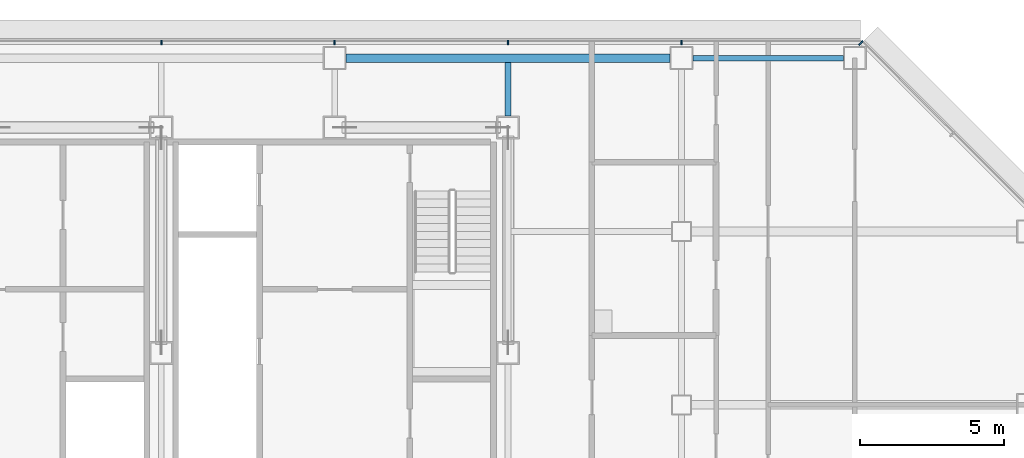
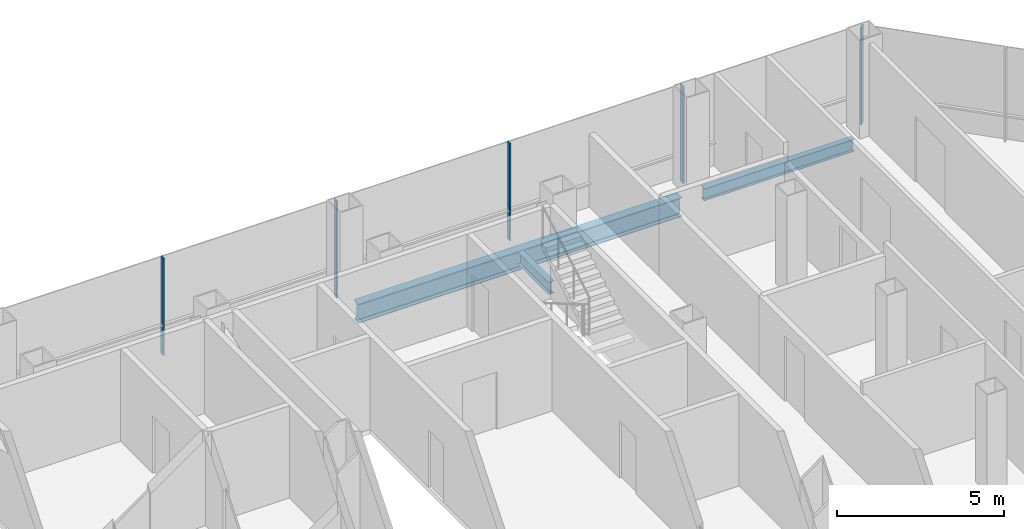
# One storey, part 14 of 26: 5 members, 3 beams, 2 elements without a shape of their own.
"""IFC4 building model written with IfcOpenShell, lengths in metres."""

import ifcopenshell
import ifcopenshell.guid

model = None  # the IFC model being written
_history = None  # IfcOwnerHistory: only IFC2X3 demands one
_inside = {}  # id of a spatial element -> (the spatial element, [elements in it])
_under = {}  # id of a project, library or spatial element -> (it, [spatial elements below it])
_declared = {}  # id of a project -> (the project, [libraries it declares])
_typed = {}  # id of a type object -> (the type object, [elements of that type])
_made_of = {}  # id of a material, layer set ... -> (it, [elements and type objects made of it])


def new_model(schema):
    """Start an empty IFC model of exactly this schema.

    Asked for "IFC4X3", IfcOpenShell would pick the latest addendum, in which some entities
    have other attributes; the version numbers below select the first issue.
    IFC2X3 requires an IfcOwnerHistory on every rooted entity: one is made here for all.
    """
    global model, _history
    if schema == "IFC4X3":
        model = ifcopenshell.file(schema_version=(4, 3, 0, 0))
    else:
        model = ifcopenshell.file(schema=schema)
    _inside.clear()
    _under.clear()
    _declared.clear()
    _typed.clear()
    _made_of.clear()
    _history = None
    if model.schema == "IFC2X3":
        org = make("IfcOrganization", Name="unknown")
        user = make(
            "IfcPersonAndOrganization",
            ThePerson=make("IfcPerson", FamilyName="unknown"),
            TheOrganization=org,
        )
        app = make(
            "IfcApplication",
            ApplicationDeveloper=org,
            Version="unknown",
            ApplicationFullName="unknown",
            ApplicationIdentifier="unknown",
        )
        _history = make(
            "IfcOwnerHistory",
            OwningUser=user,
            OwningApplication=app,
            ChangeAction="ADDED",
            CreationDate=0,
        )
    return model


def make(cls, **values):
    """One entity of the class cls with the attributes given. An attribute that is None is left unset."""
    return model.create_entity(
        cls, **{name: value for name, value in values.items() if value is not None}
    )


def rooted(cls, **values):
    """An entity with a GlobalId (a new one), such as an element, a storey or a relation."""
    return make(cls, GlobalId=ifcopenshell.guid.new(), OwnerHistory=_history, **values)


def si_unit(unit_type, name, prefix=None):
    """IfcSIUnit, for example si_unit("LENGTHUNIT", "METRE", prefix="MILLI")."""
    return make("IfcSIUnit", UnitType=unit_type, Prefix=prefix, Name=name)


def assignment(units):
    """IfcUnitAssignment: the units of a project."""
    return None if units is None else make("IfcUnitAssignment", Units=units)


def point(xyz):
    """IfcCartesianPoint."""
    return None if xyz is None else make("IfcCartesianPoint", Coordinates=xyz)


def direction(xyz):
    """IfcDirection."""
    return None if xyz is None else make("IfcDirection", DirectionRatios=xyz)


def frame(location, z_axis=None, x_axis=None):
    """IfcAxis2Placement3D, a coordinate frame: its origin and axes. An axis left out is left unset."""
    return make(
        "IfcAxis2Placement3D",
        Location=point(location),
        Axis=direction(z_axis),
        RefDirection=direction(x_axis),
    )


def frame_2d(location, x_axis=None):
    """IfcAxis2Placement2D, a coordinate frame in the plane: its origin and x axis."""
    return make(
        "IfcAxis2Placement2D", Location=point(location), RefDirection=direction(x_axis)
    )


def origin():
    """The frame at (0, 0, 0) with its axes left unset."""
    return frame((0.0, 0.0, 0.0))


def origin_2d():
    """The frame at (0, 0) in the plane with its x axis left unset."""
    return frame_2d((0.0, 0.0))


def place(relative_to, where):
    """IfcLocalPlacement: puts the frame where relative to a parent placement (None: the world)."""
    return make(
        "IfcLocalPlacement", PlacementRelTo=relative_to, RelativePlacement=where
    )


def context(
    kind, dimensions, precision=None, world=None, true_north=None, identifier=None
):
    """IfcGeometricRepresentationContext, for example the 3D "Model" context."""
    return make(
        "IfcGeometricRepresentationContext",
        ContextIdentifier=identifier,
        ContextType=kind,
        CoordinateSpaceDimension=dimensions,
        Precision=precision,
        WorldCoordinateSystem=world,
        TrueNorth=true_north,
    )


def subcontext(parent, identifier, kind, view, scale=None):
    """IfcGeometricRepresentationSubContext, for example "Body" below "Model"."""
    return make(
        "IfcGeometricRepresentationSubContext",
        ContextIdentifier=identifier,
        ContextType=kind,
        ParentContext=parent,
        TargetScale=scale,
        TargetView=view,
    )


def project(units=None, contexts=None):
    """IfcProject with its units and contexts."""
    return rooted(
        "IfcProject",
        Name="project",
        RepresentationContexts=contexts,
        UnitsInContext=assignment(units),
    )


def spatial(cls, under=None, at=None, **own):
    """A site, building, storey or space (cls), placed at a placement, below another one or the project."""
    s = rooted(cls, ObjectPlacement=at, **own)
    if under is not None:
        _under.setdefault(under.id(), (under, []))[1].append(s)
    return s


def profile(cls, at=None, kind="AREA", **sizes):
    """A parametric profile (cls). Its sizes go by their IFC names, for example OverallWidth=200.0."""
    return make(cls, ProfileType=kind, Position=at, **sizes)


def rectangle(**sizes):
    """IfcRectangleProfileDef."""
    return profile("IfcRectangleProfileDef", **sizes)


def i_section(**sizes):
    """IfcIShapeProfileDef."""
    return profile("IfcIShapeProfileDef", **sizes)


def extrude(swept, where, along, depth):
    """IfcExtrudedAreaSolid: the profile swept, set in the frame where, extruded along a direction by depth."""
    return make(
        "IfcExtrudedAreaSolid",
        SweptArea=swept,
        Position=where,
        ExtrudedDirection=direction(along),
        Depth=depth,
    )


def shape(context_of_items, identifier, shape_type, items):
    """IfcShapeRepresentation: the items that make up one representation, for example the "Body"."""
    return make(
        "IfcShapeRepresentation",
        ContextOfItems=context_of_items,
        RepresentationIdentifier=identifier,
        RepresentationType=shape_type,
        Items=items,
    )


def material(Name=None, Category=None):
    """IfcMaterial."""
    return make("IfcMaterial", Name=Name, Category=Category)


def material_profile(
    of_material, cross_section, Name=None, Category=None, Priority=None
):
    """IfcMaterialProfile: a cross section and its material."""
    return make(
        "IfcMaterialProfile",
        Name=Name,
        Material=of_material,
        Profile=cross_section,
        Priority=Priority,
        Category=Category,
    )


def profile_set(profiles, Name=None, composite=None):
    """IfcMaterialProfileSet."""
    return make(
        "IfcMaterialProfileSet",
        Name=Name,
        MaterialProfiles=profiles,
        CompositeProfile=composite,
    )


def made_of(thing, what):
    """Note that an element or type object is made of a material, layer set ...; save() writes the relation."""
    if what is not None:
        _made_of.setdefault(what.id(), (what, []))[1].append(thing)
    return thing


def type_object(cls, material=None, **own):
    """A type object (cls), such as IfcWallType, which elements share."""
    return made_of(rooted(cls, **own), material)


def element(
    cls,
    number,
    at=None,
    inside=None,
    cuts=None,
    type_object=None,
    material=None,
    context=None,
    identifier="Body",
    shape_type=None,
    held_by="IfcProductDefinitionShape",
    body=None,
    shapes=None,
    **own,
):
    """One element of the class cls, such as IfcWall. Its Tag is "e" and its number.

    at: its placement. inside: the storey or other place that contains it. cuts: it is an
    opening in that element (IfcRelVoidsElement). A single representation is given by context,
    identifier, shape_type and body (its items); several are given by shapes. held_by: the class
    of the entity that holds the representations. save() writes the other relations.
    """
    e = rooted(cls, Tag="e%d" % number, ObjectPlacement=at, **own)
    if body is not None:
        shapes = [shape(context, identifier, shape_type, body)]
    if shapes is not None:
        e.Representation = make(held_by, Representations=shapes)
    if inside is not None:
        _inside.setdefault(inside.id(), (inside, []))[1].append(e)
    if cuts is not None:
        rooted(
            "IfcRelVoidsElement", RelatingBuildingElement=cuts, RelatedOpeningElement=e
        )
    if type_object is not None:
        _typed.setdefault(type_object.id(), (type_object, []))[1].append(e)
    return made_of(e, material)


def aggregate(whole, parts):
    """IfcRelAggregates: a whole, such as a stair, and the parts it consists of."""
    return rooted("IfcRelAggregates", RelatingObject=whole, RelatedObjects=parts)


def save(model, path):
    """Write the relations noted so far, then the file.

    IfcRelAggregates (storeys below a building ...), IfcRelContainedInSpatialStructure (elements
    in a storey), IfcRelDefinesByType, IfcRelAssociatesMaterial and IfcRelDeclares: one each for
    every whole, place, type object, material and project.
    """
    for whole, parts in _under.values():
        aggregate(whole, parts)
    for where, things in _inside.values():
        rooted(
            "IfcRelContainedInSpatialStructure",
            RelatedElements=things,
            RelatingStructure=where,
        )
    for kind, things in _typed.values():
        rooted("IfcRelDefinesByType", RelatedObjects=things, RelatingType=kind)
    for what, things in _made_of.values():
        rooted("IfcRelAssociatesMaterial", RelatedObjects=things, RelatingMaterial=what)
    for by, libraries in _declared.values():
        rooted("IfcRelDeclares", RelatingContext=by, RelatedDefinitions=libraries)
    model.write(path)


model = new_model("IFC4")

# Units and contexts
model_context = context("Model", 3, precision=1e-05, world=origin(), true_north=direction((0.0, 1.0)))
body_context = subcontext(model_context, "Body", "Model", "MODEL_VIEW")
ifc_project = project(units=[si_unit("LENGTHUNIT", "METRE"), si_unit("AREAUNIT", "SQUARE_METRE"), si_unit("VOLUMEUNIT", "CUBIC_METRE"), si_unit("PLANEANGLEUNIT", "RADIAN"), si_unit("MASSUNIT", "GRAM", prefix="KILO")], contexts=[model_context])

# Site, building, storey
site_placement = place(None, origin())
site = spatial("IfcSite", under=ifc_project, at=site_placement, CompositionType="ELEMENT")
building_placement = place(site_placement, origin())
building = spatial("IfcBuilding", under=site, at=building_placement, Name="Sorahane Residences", CompositionType="ELEMENT")
storey_placement = place(building_placement, frame((0.0, 0.0, 110.60009765625)))
storey = spatial("IfcBuildingStorey", under=building, at=storey_placement, Name="L24", CompositionType="ELEMENT", Elevation=110.60009765625)

# Curtain wall, members
ifc_material_1 = material(Name="Dark low-e glass and black anodised aluminium", Category="aluminium")
curtain_wall_type_1 = type_object("IfcCurtainWallType", Name="Curtain wall CW-1 Typical unitised wall", PredefinedType="NOTDEFINED", material=ifc_material_1)
curtain_wall_1_placement = place(storey_placement, origin())
curtain_wall_1 = element("IfcCurtainWall", 1, at=curtain_wall_1_placement, inside=storey, type_object=curtain_wall_type_1, Name="CW-1 curtain wall L24 N1", PredefinedType="NOTDEFINED")
ifc_material_2 = material(Name="Black anodised aluminium", Category="aluminium")
ifc_material_profile_1 = material_profile(ifc_material_2, rectangle(XDim=0.159912109375, YDim=0.050048828125, at=origin_2d()), Name="Curtain wall mullion CW-1 black anodised aluminium 50x160")
ifc_profile_set_1 = profile_set([ifc_material_profile_1], Name="Black anodised aluminium")
member_type_1 = type_object("IfcMemberType", Name="Curtain wall mullion CW-1 black anodised aluminium 50x160", PredefinedType="MULLION", material=ifc_profile_set_1)
member_1_placement = place(storey_placement, frame((48.0, 48.5400390625, -0.18017578125), z_axis=(0.0, 0.0, 1.0), x_axis=(0.0, 1.0, 0.0)))
member_1 = element("IfcMember", 2, at=member_1_placement, type_object=member_type_1, Name="CW-1 mullion L24 N1.2", PredefinedType="MULLION", context=body_context, shape_type="SweptSolid", body=[
    extrude(rectangle(XDim=0.159912109375, YDim=0.050048828125, at=origin_2d()), origin(), (0.0, 0.0, 1.0), 3.56005859375),
])
member_2_placement = place(storey_placement, frame((42.0, 48.5400390625, -0.18017578125), z_axis=(0.0, 0.0, 1.0), x_axis=(0.0, 1.0, 0.0)))
member_2 = element("IfcMember", 3, at=member_2_placement, type_object=member_type_1, Name="CW-1 mullion L24 N1.3", PredefinedType="MULLION", context=body_context, shape_type="SweptSolid", body=[
    extrude(rectangle(XDim=0.159912109375, YDim=0.050048828125, at=origin_2d()), origin(), (0.0, 0.0, 1.0), 3.56005859375),
])
member_3_placement = place(storey_placement, frame((36.0, 48.5400390625, -0.18017578125), z_axis=(0.0, 0.0, 1.0), x_axis=(0.0, 1.0, 0.0)))
member_3 = element("IfcMember", 4, at=member_3_placement, type_object=member_type_1, Name="CW-1 mullion L24 N1.4", PredefinedType="MULLION", context=body_context, shape_type="SweptSolid", body=[
    extrude(rectangle(XDim=0.159912109375, YDim=0.050048828125, at=origin_2d()), origin(), (0.0, 0.0, 1.0), 3.56005859375),
])
member_4_placement = place(storey_placement, frame((30.0, 48.5400390625, -0.18017578125), z_axis=(0.0, 0.0, 1.0), x_axis=(0.0, 1.0, 0.0)))
member_4 = element("IfcMember", 5, at=member_4_placement, type_object=member_type_1, Name="CW-1 mullion L24 N1.5", PredefinedType="MULLION", context=body_context, shape_type="SweptSolid", body=[
    extrude(rectangle(XDim=0.159912109375, YDim=0.050048828125, at=origin_2d()), origin(), (0.0, 0.0, 1.0), 3.56005859375),
])
aggregate(curtain_wall_1, [member_1, member_2, member_3, member_4])

# Curtain wall, member
ifc_material_3 = material(Name="Dark low-e glass and black anodised aluminium", Category="aluminium")
curtain_wall_type_2 = type_object("IfcCurtainWallType", Name="Curtain wall CW-2 Chamfer unitised wall", PredefinedType="NOTDEFINED", material=ifc_material_3)
curtain_wall_2_placement = place(storey_placement, origin())
curtain_wall_2 = element("IfcCurtainWall", 6, at=curtain_wall_2_placement, inside=storey, type_object=curtain_wall_type_2, Name="CW-2 curtain wall L24 NE1", PredefinedType="NOTDEFINED")
ifc_material_4 = material(Name="Black anodised aluminium", Category="aluminium")
ifc_material_profile_2 = material_profile(ifc_material_4, rectangle(XDim=0.199951171875, YDim=0.050048828125, at=origin_2d()), Name="Curtain wall mullion CW-2 black anodised aluminium 50x200")
ifc_profile_set_2 = profile_set([ifc_material_profile_2], Name="Black anodised aluminium")
member_type_2 = type_object("IfcMemberType", Name="Curtain wall mullion CW-2 black anodised aluminium 50x200", PredefinedType="MULLION", material=ifc_profile_set_2)
member_5_placement = place(storey_placement, frame((54.209716796875, 48.525634765625, -0.18017578125), z_axis=(0.0, 0.0, 1.0), x_axis=(0.707106781187, 0.707106781187, 0.0)))
member_5 = element("IfcMember", 7, at=member_5_placement, type_object=member_type_2, Name="CW-2 mullion L24 NE1.3", PredefinedType="MULLION", context=body_context, shape_type="SweptSolid", body=[
    extrude(rectangle(XDim=0.199951171875, YDim=0.050048828125, at=origin_2d()), origin(), (0.0, 0.0, 1.0), 3.56005859375),
])
aggregate(curtain_wall_2, [member_5])

# Beams
ifc_material_5 = material(Name="Steel Q355B", Category="steel")
ifc_material_profile_3 = material_profile(ifc_material_5, i_section(OverallWidth=0.199951171875, OverallDepth=0.449951171875, WebThickness=0.009033203125, FlangeThickness=0.013916015625, FilletRadius=0.02001953125, at=origin_2d()), Name="HN 450x200x9x14")
ifc_profile_set_3 = profile_set([ifc_material_profile_3], Name="Steel Q355B")
beam_type_1 = type_object("IfcBeamType", Name="Steel floor beam HN 450x200x9x14 Q355B", PredefinedType="BEAM", material=ifc_profile_set_3)
beam_1_placement = place(storey_placement, frame((48.39990234375, 48.0, -0.405029296875), z_axis=(1.0, 0.0, 0.0), x_axis=(0.0, 1.0, 0.0)))
element("IfcBeam", 8, at=beam_1_placement, inside=storey, type_object=beam_type_1, Name="Beam L24 019", PredefinedType="BEAM", context=body_context, shape_type="SweptSolid", body=[
    extrude(i_section(OverallWidth=0.199951171875, OverallDepth=0.449951171875, WebThickness=0.009033203125, FlangeThickness=0.013916015625, FilletRadius=0.02001953125, at=origin_2d()), origin(), (0.0, 0.0, 1.0), 5.2001953125),
])
beam_2_placement = place(storey_placement, frame((42.0, 46.0, -0.405029296875), z_axis=(0.0, 1.0, 0.0), x_axis=(-1.0, 0.0, 0.0)))
element("IfcBeam", 9, at=beam_2_placement, inside=storey, type_object=beam_type_1, Name="Beam L24 057", PredefinedType="BEAM", context=body_context, shape_type="SweptSolid", body=[
    extrude(i_section(OverallWidth=0.199951171875, OverallDepth=0.449951171875, WebThickness=0.009033203125, FlangeThickness=0.013916015625, FilletRadius=0.02001953125, at=origin_2d()), origin(), (0.0, 0.0, 1.0), 1.85009765625),
])
ifc_material_6 = material(Name="Steel Q355B", Category="steel")
ifc_material_profile_4 = material_profile(ifc_material_6, i_section(OverallWidth=0.300048828125, OverallDepth=0.699951171875, WebThickness=0.012939453125, FlangeThickness=0.02392578125, FilletRadius=0.028076171875, at=origin_2d()), Name="HN 700x300x13x24")
ifc_profile_set_4 = profile_set([ifc_material_profile_4], Name="Steel Q355B")
beam_type_2 = type_object("IfcBeamType", Name="Steel floor beam HN 700x300x13x24 Q355B", PredefinedType="BEAM", material=ifc_profile_set_4)
beam_3_placement = place(storey_placement, frame((36.39990234375, 48.0, -0.530029296875), z_axis=(1.0, 0.0, 0.0), x_axis=(0.0, 1.0, 0.0)))
element("IfcBeam", 10, at=beam_3_placement, inside=storey, type_object=beam_type_2, Name="Beam L24 018", PredefinedType="BEAM", context=body_context, shape_type="SweptSolid", body=[
    extrude(i_section(OverallWidth=0.300048828125, OverallDepth=0.699951171875, WebThickness=0.012939453125, FlangeThickness=0.02392578125, FilletRadius=0.028076171875, at=origin_2d()), origin(), (0.0, 0.0, 1.0), 11.2001953125),
])

save(model, "model.ifc")
